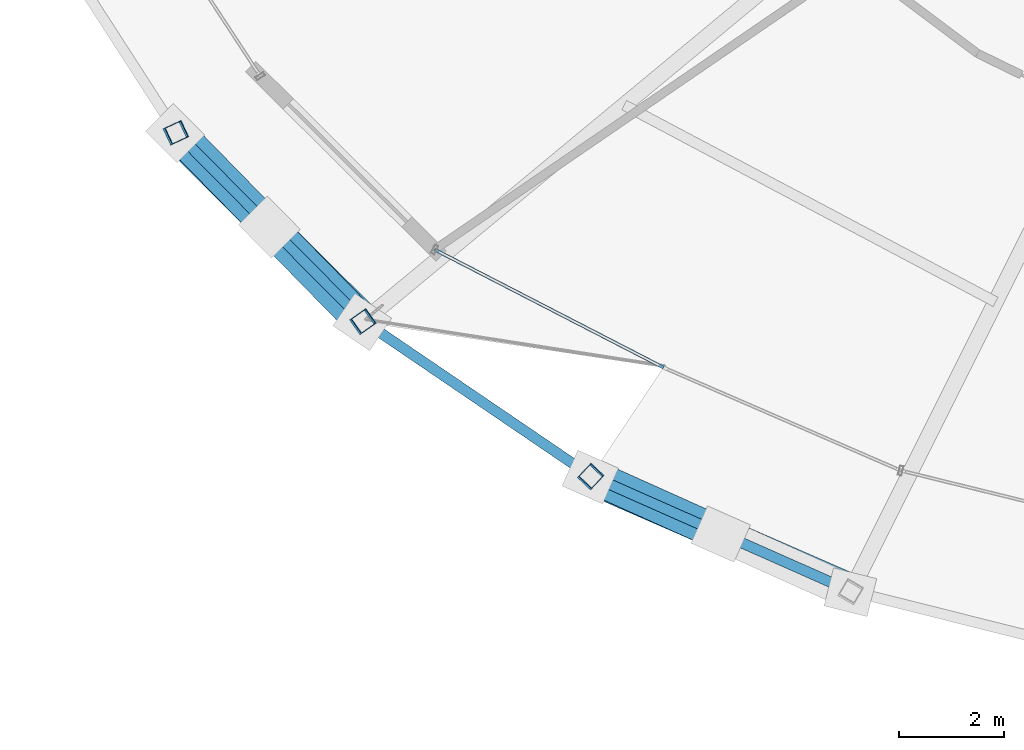
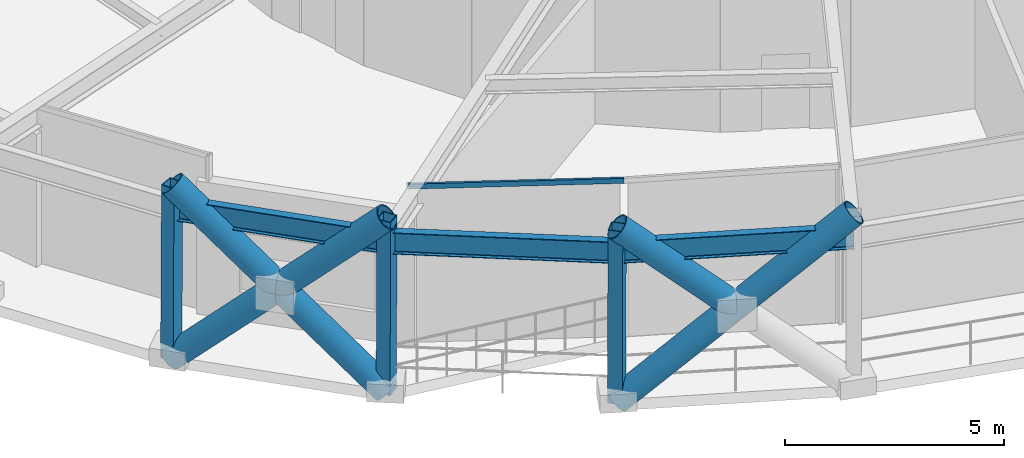
# One storey, part 1 of 39: 9 members, 3 beams, 1 element without a shape of its own.
"""IFC4 building model written with IfcOpenShell, lengths in metres."""

from ifc_helpers import new_model, si_unit, direction, frame, origin, origin_2d, place, context, subcontext, project, spatial, hollow_rectangle, hollow_circle, i_section, extrude, material, layer, layer_set, material_profile, profile_set, type_object, element, aggregate, save


model = new_model("IFC4")

# Units and contexts
model_context = context("Model", 3, precision=1e-05, world=origin(), true_north=direction((0.0, 1.0)))
body_context = subcontext(model_context, "Body", "Model", "MODEL_VIEW")
ifc_project = project(units=[si_unit("LENGTHUNIT", "METRE"), si_unit("AREAUNIT", "SQUARE_METRE"), si_unit("VOLUMEUNIT", "CUBIC_METRE"), si_unit("PLANEANGLEUNIT", "RADIAN"), si_unit("MASSUNIT", "GRAM", prefix="KILO")], contexts=[model_context])

# Site, building, storey
site_placement = place(None, origin())
site = spatial("IfcSite", under=ifc_project, at=site_placement, CompositionType="ELEMENT")
building_placement = place(site_placement, origin())
building = spatial("IfcBuilding", under=site, at=building_placement, Name="Veldorina Hangang Commons", CompositionType="ELEMENT")
storey_placement = place(building_placement, frame((0.0, 0.0, 106.0)))
storey = spatial("IfcBuildingStorey", under=building, at=storey_placement, Name="L27", CompositionType="ELEMENT", Elevation=106.0)

# Beams
ifc_material_1 = material(Name="Steel SM420-TMC", Category="steel")
ifc_material_profile_1 = material_profile(ifc_material_1, i_section(OverallWidth=0.199951171875, OverallDepth=0.60009765625, WebThickness=0.010986328125, FlangeThickness=0.01708984375, FilletRadius=0.01806640625, at=origin_2d()), Name="H-600x200x11x17")
ifc_profile_set_1 = profile_set([ifc_material_profile_1], Name="Steel SM420-TMC")
beam_type = type_object("IfcBeamType", Name="BM-RB600", PredefinedType="BEAM", material=ifc_profile_set_1)
beam_1_placement = place(storey_placement, frame((8.094970703125, 10.763427734375, 4.139892578125), z_axis=(0.703663003513, -0.710533867938, 0.0), x_axis=(0.710533867938, 0.703663003513, 0.0)))
element("IfcBeam", 1, at=beam_1_placement, inside=storey, type_object=beam_type, Name="L27 perimeter hoop ring beam 19", PredefinedType="BEAM", context=body_context, shape_type="SweptSolid", body=[
    extrude(i_section(OverallWidth=0.199951171875, OverallDepth=0.60009765625, WebThickness=0.010986328125, FlangeThickness=0.01708984375, FilletRadius=0.01806640625, at=origin_2d()), origin(), (0.0, 0.0, 1.0), 5.081298828125),
])
beam_2_placement = place(storey_placement, frame((11.67041015625, 7.153076171875, 4.139892578125), z_axis=(0.826896335744, -0.562354381092, 0.0), x_axis=(0.562354381092, 0.826896335744, 0.0)))
element("IfcBeam", 2, at=beam_2_placement, inside=storey, type_object=beam_type, Name="L27 perimeter hoop ring beam 20", PredefinedType="BEAM", context=body_context, shape_type="SweptSolid", body=[
    extrude(i_section(OverallWidth=0.199951171875, OverallDepth=0.60009765625, WebThickness=0.010986328125, FlangeThickness=0.01708984375, FilletRadius=0.01806640625, at=origin_2d()), origin(), (0.0, 0.0, 1.0), 5.268798828125),
])
beam_3_placement = place(storey_placement, frame((16.027099609375, 4.190185546875, 4.139892578125), z_axis=(0.914309006234, -0.405017334343, 0.0), x_axis=(0.405017334343, 0.914309006234, 0.0)))
element("IfcBeam", 3, at=beam_3_placement, inside=storey, type_object=beam_type, Name="L27 perimeter hoop ring beam 21", PredefinedType="BEAM", context=body_context, shape_type="SweptSolid", body=[
    extrude(i_section(OverallWidth=0.199951171875, OverallDepth=0.60009765625, WebThickness=0.010986328125, FlangeThickness=0.01708984375, FilletRadius=0.01806640625, at=origin_2d()), origin(), (0.0, 0.0, 1.0), 5.4365234375),
])

# Curtain wall, member
ifc_material_2 = material(Name="Glass Acoustic Laminated", Category="glass")
ifc_layer = layer(ifc_material_2, 0.179931640625)
ifc_layer_set = layer_set([ifc_layer], Name="Glass Acoustic Laminated")
curtain_wall_type = type_object("IfcCurtainWallType", Name="CW-SYS-SKY", PredefinedType="NOTDEFINED", material=ifc_layer_set)
curtain_wall_placement = place(storey_placement, origin())
curtain_wall = element("IfcCurtainWall", 4, at=curtain_wall_placement, inside=storey, type_object=curtain_wall_type, Name="L27 unitised curtain wall CW-L27-R11", PredefinedType="NOTDEFINED")
ifc_material_3 = material(Name="Aluminium Anodized AA6063-T6", Category="aluminium")
ifc_material_profile_2 = material_profile(ifc_material_3, hollow_rectangle(XDim=0.06005859375, YDim=0.139892578125, WallThickness=0.00341796875, at=origin_2d()), Name="ALU-RHS-140x60x3.5")
ifc_profile_set_2 = profile_set([ifc_material_profile_2], Name="Aluminium Anodized AA6063-T6")
member_type_1 = type_object("IfcMemberType", Name="CW-TRN-140", PredefinedType="USERDEFINED", material=ifc_profile_set_2)
member_1_placement = place(storey_placement, frame((13.033203125, 8.522705078125, 4.360107421875), z_axis=(0.888804429804, -0.458286684905, 0.0), x_axis=(0.458286684905, 0.888804429804, 0.0)))
member_1 = element("IfcMember", 5, at=member_1_placement, type_object=member_type_1, Name="CW-L27-R11 facet 1 transom 1", ObjectType="TRANSOM", PredefinedType="USERDEFINED", context=body_context, shape_type="SweptSolid", body=[
    extrude(hollow_rectangle(XDim=0.06005859375, YDim=0.139892578125, WallThickness=0.00341796875, at=origin_2d()), origin(), (0.0, 0.0, 1.0), 4.92333984375),
])
aggregate(curtain_wall, [member_1])

# Members
ifc_material_4 = material(Name="Steel SM460-TMC", Category="steel")
ifc_material_profile_3 = material_profile(ifc_material_4, hollow_circle(Radius=0.324951171875, WallThickness=0.031982421875, at=origin_2d()), Name="CHS-650x32")
ifc_profile_set_3 = profile_set([ifc_material_profile_3], Name="Steel SM460-TMC")
member_type_2 = type_object("IfcMemberType", Name="DG-CHS650", PredefinedType="BRACE", material=ifc_profile_set_3)
member_2_placement = place(storey_placement, frame((8.06787109375, 10.750732421875, 0.0), z_axis=(0.515325557152, -0.513755612661, 0.685926191806), x_axis=(0.70602721242, 0.708184704242, 0.0)))
element("IfcMember", 6, at=member_2_placement, inside=storey, type_object=member_type_2, Name="L27 continuous perimeter diagrid brace 19", PredefinedType="BRACE", context=body_context, shape_type="SweptSolid", body=[
    extrude(hollow_circle(Radius=0.324951171875, WallThickness=0.031982421875, at=origin_2d()), origin(), (0.0, 0.0, 1.0), 6.997802734375),
])
member_3_placement = place(storey_placement, frame((11.6474609375, 7.13671875, 0.0), z_axis=(-0.507969571085, 0.519425430499, 0.687142006431), x_axis=(-0.714946856887, -0.699178798182, 0.0)))
element("IfcMember", 7, at=member_3_placement, inside=storey, type_object=member_type_2, Name="L27 split perimeter diagrid lower brace 20", PredefinedType="BRACE", context=body_context, shape_type="SweptSolid", body=[
    extrude(hollow_circle(Radius=0.324951171875, WallThickness=0.031982421875, at=origin_2d()), origin(), (0.0, 0.0, 1.0), 3.4951171875),
])
member_4_placement = place(storey_placement, frame((9.8720703125, 8.9521484375, 2.401611328125), z_axis=(-0.507934081571, 0.519474858693, 0.687130875427), x_axis=(-0.715004530195, -0.699119819345, 0.0)))
element("IfcMember", 8, at=member_4_placement, inside=storey, type_object=member_type_2, Name="L27 split perimeter diagrid upper brace 20", PredefinedType="BRACE", context=body_context, shape_type="SweptSolid", body=[
    extrude(hollow_circle(Radius=0.324951171875, WallThickness=0.031982421875, at=origin_2d()), origin(), (0.0, 0.0, 1.0), 3.490478515625),
])
member_5_placement = place(storey_placement, frame((16.009033203125, 4.1708984375, 0.0), z_axis=(0.687498515775, -0.300196250455, 0.661232184652), x_axis=(0.400164928698, 0.916443140538, 0.0)))
element("IfcMember", 9, at=member_5_placement, inside=storey, type_object=member_type_2, Name="L27 continuous perimeter diagrid brace 21", PredefinedType="BRACE", context=body_context, shape_type="SweptSolid", body=[
    extrude(hollow_circle(Radius=0.324951171875, WallThickness=0.031982421875, at=origin_2d()), origin(), (0.0, 0.0, 1.0), 7.25927734375),
])
member_6_placement = place(storey_placement, frame((18.506103515625, 3.080810546875, 2.401611328125), z_axis=(-0.683574242802, 0.307075946579, 0.662140934854), x_axis=(-0.409773706981, -0.912187211633, 0.0)))
element("IfcMember", 10, at=member_6_placement, inside=storey, type_object=member_type_2, Name="L27 split perimeter diagrid upper brace 22", PredefinedType="BRACE", context=body_context, shape_type="SweptSolid", body=[
    extrude(hollow_circle(Radius=0.324951171875, WallThickness=0.031982421875, at=origin_2d()), origin(), (0.0, 0.0, 1.0), 3.622314453125),
])
ifc_material_5 = material(Name="Steel SM355-TMC", Category="steel")
ifc_material_profile_4 = material_profile(ifc_material_5, hollow_rectangle(XDim=0.35009765625, YDim=0.35009765625, WallThickness=0.01611328125, at=origin_2d()), Name="SHS-350x350x16")
ifc_profile_set_4 = profile_set([ifc_material_profile_4], Name="Steel SM355-TMC")
member_type_3 = type_object("IfcMemberType", Name="STR-SHS350", PredefinedType="STRUT", material=ifc_profile_set_4)
member_7_placement = place(storey_placement, frame((8.06787109375, 10.750732421875, 0.0), z_axis=(0.006510182161, 0.003051647888, 0.999974152153), x_axis=(-0.424433876231, 0.905458935959, 0.0)))
element("IfcMember", 11, at=member_7_placement, inside=storey, type_object=member_type_3, Name="L27 perimeter ring node post 19", PredefinedType="STRUT", context=body_context, shape_type="SweptSolid", body=[
    extrude(hollow_rectangle(XDim=0.35009765625, YDim=0.35009765625, WallThickness=0.01611328125, at=origin_2d()), origin(), (0.0, 0.0, 1.0), 4.80029296875),
])
for number, where, z_axis, x_axis, name in (
    (12, (11.6474609375, 7.13671875, 0.0), (0.005543842585, 0.003916292469, 0.999976963966), (-0.576977350994, 0.816760146212, 0.0), "L27 perimeter ring node post 20"),
    (13, (16.009033203125, 4.1708984375, 0.0), (0.004374053006, 0.004628358414, 0.999979722774), (-0.726791623273, 0.686858017599, 0.0), "L27 perimeter ring node post 21"),
):
    element("IfcMember", number, at=place(storey_placement, frame(where, z_axis=z_axis, x_axis=x_axis)), inside=storey, type_object=member_type_3, Name=name, PredefinedType="STRUT", context=body_context, shape_type="SweptSolid", body=[
        extrude(hollow_rectangle(XDim=0.35009765625, YDim=0.35009765625, WallThickness=0.01611328125, at=origin_2d()), origin(), (0.0, 0.0, 1.0), 4.800048828125),
    ])

save(model, "model.ifc")
